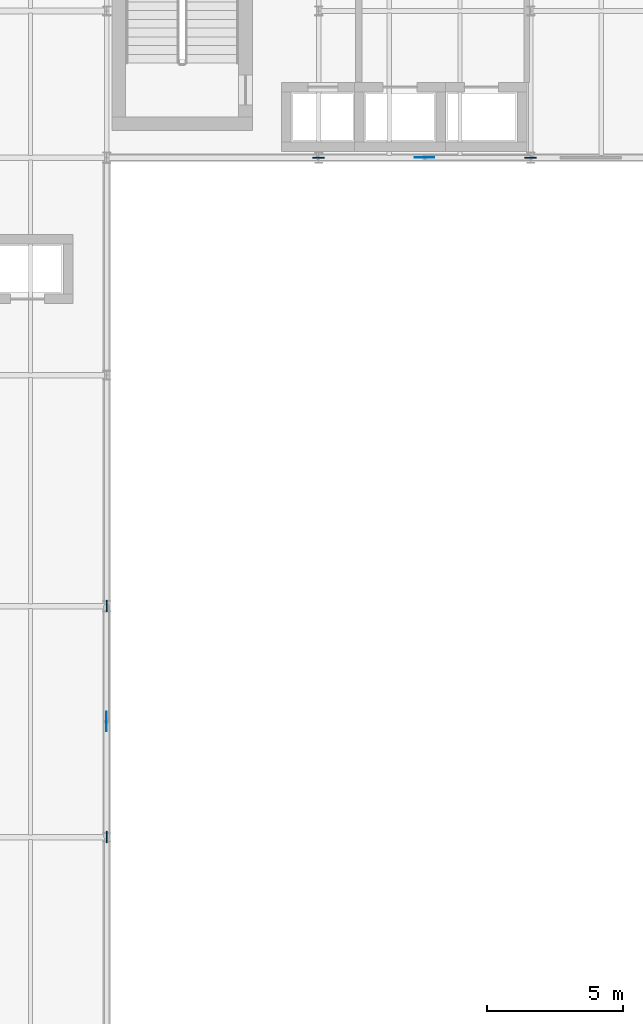
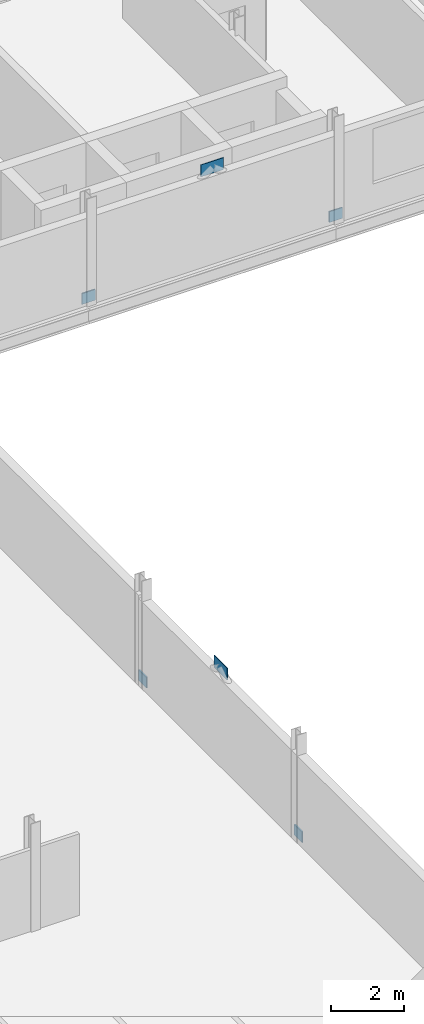
# One storey, part 12 of 25: 6 plates.
"""IFC4 building model written with IfcOpenShell, lengths in metres."""

from ifc_helpers import new_model, si_unit, direction, frame, origin, origin_2d, place, context, subcontext, project, spatial, rectangle, extrude, material, layer, layer_set, type_object, element, save


model = new_model("IFC4")

# Units and contexts
model_context = context("Model", 3, precision=1e-05, world=origin(), true_north=direction((0.0, 1.0)))
body_context = subcontext(model_context, "Body", "Model", "MODEL_VIEW")
ifc_project = project(units=[si_unit("LENGTHUNIT", "METRE"), si_unit("AREAUNIT", "SQUARE_METRE"), si_unit("VOLUMEUNIT", "CUBIC_METRE"), si_unit("PLANEANGLEUNIT", "RADIAN"), si_unit("MASSUNIT", "GRAM", prefix="KILO")], contexts=[model_context])

# Site, building, storey
site_placement = place(None, origin())
site = spatial("IfcSite", under=ifc_project, at=site_placement, CompositionType="ELEMENT")
building_placement = place(site_placement, origin())
building = spatial("IfcBuilding", under=site, at=building_placement, Name="Sefraquen Railside Congress Hotel", CompositionType="ELEMENT")
storey_placement = place(building_placement, frame((0.0, 0.0, 39.0)))
storey = spatial("IfcBuildingStorey", under=building, at=storey_placement, Name="L09", CompositionType="ELEMENT", Elevation=39.0)

# Plates
ifc_material = material(Name="Steel S355J2", Category="steel")
ifc_layer_1 = layer(ifc_material, 0.02001953125)
ifc_layer_set_1 = layer_set([ifc_layer_1], Name="Steel S355J2")
plate_type_1 = type_object("IfcPlateType", Name="TP-GUS-01", PredefinedType="SHEET", material=ifc_layer_set_1)
for number, where, z_axis, x_axis, name in (
    (1, (36.89990234375, 96.0, 2.929931640625), (0.0, 0.0, 1.0), (1.0, 0.0, 0.0), "Chevron braced-frame apex gusset plate BF1 L09"),
    (2, (25.199951171875, 75.25, 2.929931640625), (0.0, 0.0, 1.0), (0.0, 1.0, 0.0), "Chevron braced-frame apex gusset plate BF2 L09"),
):
    element("IfcPlate", number, at=place(storey_placement, frame(where, z_axis=z_axis, x_axis=x_axis)), inside=storey, type_object=plate_type_1, Name=name, PredefinedType="SHEET", context=body_context, shape_type="SweptSolid", body=[
        extrude(rectangle(XDim=0.719970703125, YDim=0.02001953125, at=origin_2d()), origin(), (0.0, 0.0, 1.0), 0.39990234375),
    ])
ifc_layer_2 = layer(ifc_material, 0.0400390625)
ifc_layer_set_2 = layer_set([ifc_layer_2], Name="Steel S355J2")
plate_type_2 = type_object("IfcPlateType", Name="TP-GUS-02", PredefinedType="SHEET", material=ifc_layer_set_2)
for number, where, z_axis, x_axis, name in (
    (3, (33.0, 96.0, 0.0), (0.0, 0.0, 1.0), (1.0, 0.0, 0.0), "Chevron braced-frame base gusset plate BF1-L L09"),
    (4, (40.800048828125, 96.0, 0.0), (0.0, 0.0, 1.0), (1.0, 0.0, 0.0), "Chevron braced-frame base gusset plate BF1-R L09"),
    (5, (25.199951171875, 71.0, 0.0), (0.0, 0.0, 1.0), (0.0, 1.0, 0.0), "Chevron braced-frame base gusset plate BF2-L L09"),
    (6, (25.199951171875, 79.5, 0.0), (0.0, 0.0, 1.0), (0.0, 1.0, 0.0), "Chevron braced-frame base gusset plate BF2-R L09"),
):
    element("IfcPlate", number, at=place(storey_placement, frame(where, z_axis=z_axis, x_axis=x_axis)), inside=storey, type_object=plate_type_2, Name=name, PredefinedType="SHEET", context=body_context, shape_type="SweptSolid", body=[
        extrude(rectangle(XDim=0.419921875, YDim=0.0400390625, at=origin_2d()), origin(), (0.0, 0.0, 1.0), 0.360107421875),
    ])

save(model, "model.ifc")
